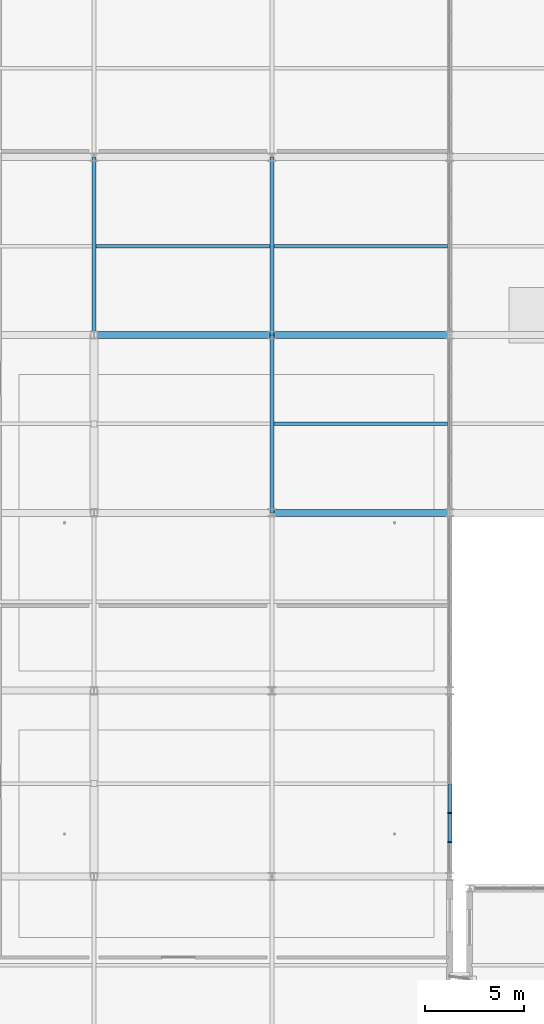
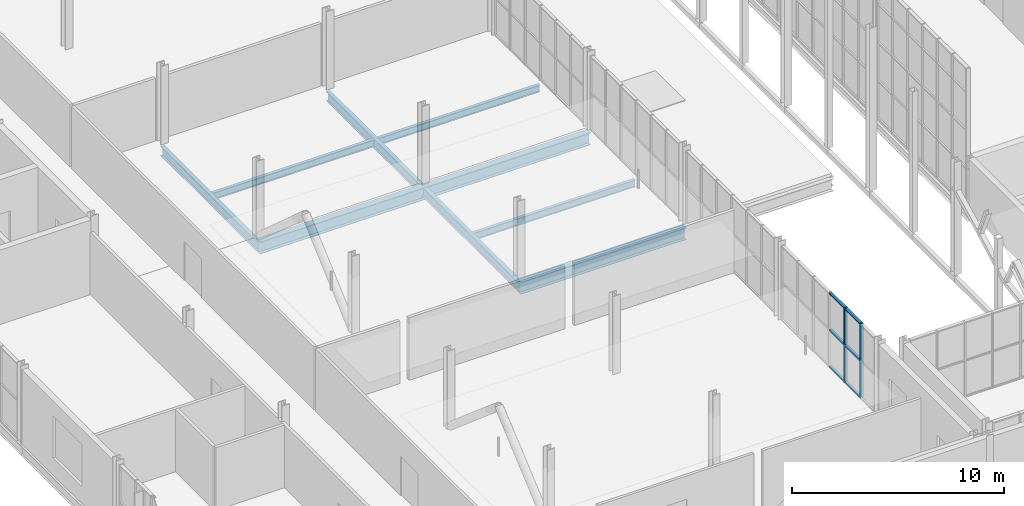
# One storey, part 45 of 134: 9 beams, 8 members, 1 element without a shape of its own.
"""IFC4 building model written with IfcOpenShell, lengths in metres."""

from ifc_helpers import new_model, si_unit, direction, frame, origin, origin_2d, place, context, subcontext, project, spatial, rectangle, i_section, extrude, material, layer, layer_set, material_profile, profile_set, type_object, element, aggregate, save


model = new_model("IFC4")

# Units and contexts
model_context = context("Model", 3, precision=1e-05, world=origin(), true_north=direction((0.0, 1.0)))
body_context = subcontext(model_context, "Body", "Model", "MODEL_VIEW")
ifc_project = project(units=[si_unit("LENGTHUNIT", "METRE"), si_unit("AREAUNIT", "SQUARE_METRE"), si_unit("VOLUMEUNIT", "CUBIC_METRE"), si_unit("PLANEANGLEUNIT", "RADIAN"), si_unit("MASSUNIT", "GRAM", prefix="KILO")], contexts=[model_context])

# Site, building, storey
site_placement = place(None, origin())
site = spatial("IfcSite", under=ifc_project, at=site_placement, CompositionType="ELEMENT")
building_placement = place(site_placement, origin())
building = spatial("IfcBuilding", under=site, at=building_placement, Name="Cazmaro Siding Exhibition Halls", CompositionType="ELEMENT")
storey_placement = place(building_placement, frame((0.0, 0.0, 12.0)))
storey = spatial("IfcBuildingStorey", under=building, at=storey_placement, Name="L02", CompositionType="ELEMENT", Elevation=12.0)

# Beams
ifc_material_1 = material(Name="Steel ASTM A992 Grade 50", Category="steel")
ifc_material_profile_1 = material_profile(ifc_material_1, i_section(OverallWidth=0.214111328125, OverallDepth=0.549072265625, WebThickness=0.014892578125, FlangeThickness=0.02392578125, at=origin_2d()), Name="W21X93")
ifc_profile_set_1 = profile_set([ifc_material_profile_1], Name="Steel ASTM A992 Grade 50")
beam_type_1 = type_object("IfcBeamType", Name="B-01", PredefinedType="BEAM", material=ifc_profile_set_1)
for number, where, z_axis, x_axis, name in (
    (1, (18.0, 91.0, -0.4951171875), (0.0, 1.0, 0.0), (-1.0, 0.0, 0.0), "Beam B-01 BM-2136"),
    (2, (27.0, 82.0, -0.4951171875), (0.0, 1.0, 0.0), (-1.0, 0.0, 0.0), "Beam B-01 BM-2143"),
    (3, (27.0, 91.0, -0.4951171875), (0.0, 1.0, 0.0), (-1.0, 0.0, 0.0), "Beam B-01 BM-2144"),
):
    element("IfcBeam", number, at=place(storey_placement, frame(where, z_axis=z_axis, x_axis=x_axis)), inside=storey, type_object=beam_type_1, Name=name, PredefinedType="BEAM", context=body_context, shape_type="SweptSolid", body=[
        extrude(i_section(OverallWidth=0.214111328125, OverallDepth=0.549072265625, WebThickness=0.014892578125, FlangeThickness=0.02392578125, at=origin_2d()), origin(), (0.0, 0.0, 1.0), 9.0),
    ])

# Curtain wall, members
ifc_material_2 = material(Name="Anodized Bronze Aluminum and Solar-Control Low-E Glazing", Category="aluminium")
ifc_layer = layer(ifc_material_2, 0.179931640625)
ifc_layer_set = layer_set([ifc_layer], Name="Anodized Bronze Aluminum and Solar-Control Low-E Glazing")
curtain_wall_type = type_object("IfcCurtainWallType", Name="CWS-01", PredefinedType="USERDEFINED", material=ifc_layer_set)
curtain_wall_placement = place(storey_placement, origin())
curtain_wall = element("IfcCurtainWall", 4, at=curtain_wall_placement, inside=storey, type_object=curtain_wall_type, Name="Glazed Curtain Wall CWS-01 CW-237", ObjectType="GLAZED CURTAIN WALL", PredefinedType="USERDEFINED")
ifc_material_3 = material(Name="Anodized Bronze Extruded Aluminum", Category="aluminium")
ifc_material_profile_2 = material_profile(ifc_material_3, rectangle(XDim=0.179931640625, YDim=0.06005859375, at=origin_2d()), Name="CWM-01")
ifc_profile_set_2 = profile_set([ifc_material_profile_2], Name="Anodized Bronze Extruded Aluminum")
member_type_1 = type_object("IfcMemberType", Name="CWM-01", PredefinedType="MULLION", material=ifc_profile_set_2)
member_1_placement = place(storey_placement, frame((36.0, 65.330078125, 0.0), z_axis=(0.0, 0.0, 1.0), x_axis=(-1.0, 0.0, 0.0)))
member_1 = element("IfcMember", 5, at=member_1_placement, type_object=member_type_1, Name="CWS-01 mullion 2", PredefinedType="MULLION", context=body_context, shape_type="SweptSolid", body=[
    extrude(rectangle(XDim=0.179931640625, YDim=0.06005859375, at=origin_2d()), origin(), (0.0, 0.0, 1.0), 4.280029296875),
])
member_2_placement = place(storey_placement, frame((36.0, 66.81494140625, 0.0), z_axis=(0.0, 0.0, 1.0), x_axis=(-1.0, 0.0, 0.0)))
member_2 = element("IfcMember", 6, at=member_2_placement, type_object=member_type_1, Name="CWS-01 mullion 3", PredefinedType="MULLION", context=body_context, shape_type="SweptSolid", body=[
    extrude(rectangle(XDim=0.179931640625, YDim=0.06005859375, at=origin_2d()), origin(), (0.0, 0.0, 1.0), 4.280029296875),
])
ifc_material_4 = material(Name="Anodized Bronze Extruded Aluminum", Category="aluminium")
ifc_material_profile_3 = material_profile(ifc_material_4, rectangle(XDim=0.159912109375, YDim=0.06005859375, at=origin_2d()), Name="CWT-01")
ifc_profile_set_3 = profile_set([ifc_material_profile_3], Name="Anodized Bronze Extruded Aluminum")
member_type_2 = type_object("IfcMemberType", Name="CWT-01", PredefinedType="MULLION", material=ifc_profile_set_3)
member_3_placement = place(storey_placement, frame((36.0, 65.360107421875, 0.030029296875), z_axis=(0.0, 1.0, 0.0), x_axis=(-1.0, 0.0, 0.0)))
member_3 = element("IfcMember", 7, at=member_3_placement, type_object=member_type_2, Name="CWS-01 transom 2.1", ObjectType="TRANSOM", PredefinedType="USERDEFINED", context=body_context, shape_type="SweptSolid", body=[
    extrude(rectangle(XDim=0.159912109375, YDim=0.06005859375, at=origin_2d()), origin(), (0.0, 0.0, 1.0), 1.4248046875),
])
member_4_placement = place(storey_placement, frame((36.0, 65.360107421875, 2.139892578125), z_axis=(0.0, 1.0, 0.0), x_axis=(-1.0, 0.0, 0.0)))
member_4 = element("IfcMember", 8, at=member_4_placement, type_object=member_type_2, Name="CWS-01 transom 2.2", ObjectType="TRANSOM", PredefinedType="USERDEFINED", context=body_context, shape_type="SweptSolid", body=[
    extrude(rectangle(XDim=0.159912109375, YDim=0.06005859375, at=origin_2d()), origin(), (0.0, 0.0, 1.0), 1.4248046875),
])
member_5_placement = place(storey_placement, frame((36.0, 65.360107421875, 4.25), z_axis=(0.0, 1.0, 0.0), x_axis=(-1.0, 0.0, 0.0)))
member_5 = element("IfcMember", 9, at=member_5_placement, type_object=member_type_2, Name="CWS-01 transom 2.3", ObjectType="TRANSOM", PredefinedType="USERDEFINED", context=body_context, shape_type="SweptSolid", body=[
    extrude(rectangle(XDim=0.159912109375, YDim=0.06005859375, at=origin_2d()), origin(), (0.0, 0.0, 1.0), 1.4248046875),
])
member_6_placement = place(storey_placement, frame((36.0, 66.844970703125, 0.030029296875), z_axis=(0.0, 1.0, 0.0), x_axis=(-1.0, 0.0, 0.0)))
member_6 = element("IfcMember", 10, at=member_6_placement, type_object=member_type_2, Name="CWS-01 transom 3.1", ObjectType="TRANSOM", PredefinedType="USERDEFINED", context=body_context, shape_type="SweptSolid", body=[
    extrude(rectangle(XDim=0.159912109375, YDim=0.06005859375, at=origin_2d()), origin(), (0.0, 0.0, 1.0), 1.425048828125),
])
member_7_placement = place(storey_placement, frame((36.0, 66.844970703125, 2.139892578125), z_axis=(0.0, 1.0, 0.0), x_axis=(-1.0, 0.0, 0.0)))
member_7 = element("IfcMember", 11, at=member_7_placement, type_object=member_type_2, Name="CWS-01 transom 3.2", ObjectType="TRANSOM", PredefinedType="USERDEFINED", context=body_context, shape_type="SweptSolid", body=[
    extrude(rectangle(XDim=0.159912109375, YDim=0.06005859375, at=origin_2d()), origin(), (0.0, 0.0, 1.0), 1.425048828125),
])
member_8_placement = place(storey_placement, frame((36.0, 66.844970703125, 4.25), z_axis=(0.0, 1.0, 0.0), x_axis=(-1.0, 0.0, 0.0)))
member_8 = element("IfcMember", 12, at=member_8_placement, type_object=member_type_2, Name="CWS-01 transom 3.3", ObjectType="TRANSOM", PredefinedType="USERDEFINED", context=body_context, shape_type="SweptSolid", body=[
    extrude(rectangle(XDim=0.159912109375, YDim=0.06005859375, at=origin_2d()), origin(), (0.0, 0.0, 1.0), 1.425048828125),
])
aggregate(curtain_wall, [member_1, member_2, member_3, member_4, member_5, member_6, member_7, member_8])

# Beams
ifc_material_5 = material(Name="Steel ASTM A992 Grade 50", Category="steel")
ifc_material_profile_4 = material_profile(ifc_material_5, i_section(OverallWidth=0.35595703125, OverallDepth=0.696044921875, WebThickness=0.014892578125, FlangeThickness=0.02490234375, at=origin_2d()), Name="W27X146")
ifc_profile_set_4 = profile_set([ifc_material_profile_4], Name="Steel ASTM A992 Grade 50")
beam_type_2 = type_object("IfcBeamType", Name="G-05", PredefinedType="USERDEFINED", material=ifc_profile_set_4)
for number, where, z_axis, x_axis, name in (
    (13, (18.0, 91.0, -0.568115234375), (1.0, 0.0, 0.0), (0.0, 1.0, 0.0), "Beam G-05 BM-2086"),
    (14, (27.0, 82.0, -0.568115234375), (1.0, 0.0, 0.0), (0.0, 1.0, 0.0), "Beam G-05 BM-2102"),
    (15, (27.0, 91.0, -0.568115234375), (1.0, 0.0, 0.0), (0.0, 1.0, 0.0), "Beam G-05 BM-2103"),
):
    element("IfcBeam", number, at=place(storey_placement, frame(where, z_axis=z_axis, x_axis=x_axis)), inside=storey, type_object=beam_type_2, Name=name, ObjectType="GIRDER", PredefinedType="USERDEFINED", context=body_context, shape_type="SweptSolid", body=[
        extrude(i_section(OverallWidth=0.35595703125, OverallDepth=0.696044921875, WebThickness=0.014892578125, FlangeThickness=0.02490234375, at=origin_2d()), origin(), (0.0, 0.0, 1.0), 9.0),
    ])
ifc_material_6 = material(Name="Steel ASTM A992 Grade 50", Category="steel")
ifc_material_profile_5 = material_profile(ifc_material_6, i_section(OverallWidth=0.177978515625, OverallDepth=0.406005859375, WebThickness=0.008056640625, FlangeThickness=0.012939453125, at=origin_2d()), Name="W16X40")
ifc_profile_set_5 = profile_set([ifc_material_profile_5], Name="Steel ASTM A992 Grade 50")
beam_type_3 = type_object("IfcBeamType", Name="J-02", PredefinedType="JOIST", material=ifc_profile_set_5)
for number, where, z_axis, x_axis, name in (
    (16, (18.10693359375, 95.5, -0.423095703125), (1.0, 0.0, 0.0), (0.0, 1.0, 0.0), "Beam J-02 BM-2095"),
    (17, (27.10693359375, 86.5, -0.423095703125), (1.0, 0.0, 0.0), (0.0, 1.0, 0.0), "Beam J-02 BM-2111"),
    (18, (27.10693359375, 95.5, -0.423095703125), (1.0, 0.0, 0.0), (0.0, 1.0, 0.0), "Beam J-02 BM-2112"),
):
    element("IfcBeam", number, at=place(storey_placement, frame(where, z_axis=z_axis, x_axis=x_axis)), inside=storey, type_object=beam_type_3, Name=name, PredefinedType="JOIST", context=body_context, shape_type="SweptSolid", body=[
        extrude(i_section(OverallWidth=0.177978515625, OverallDepth=0.406005859375, WebThickness=0.008056640625, FlangeThickness=0.012939453125, at=origin_2d()), origin(), (0.0, 0.0, 1.0), 8.7861328125),
    ])

save(model, "model.ifc")
